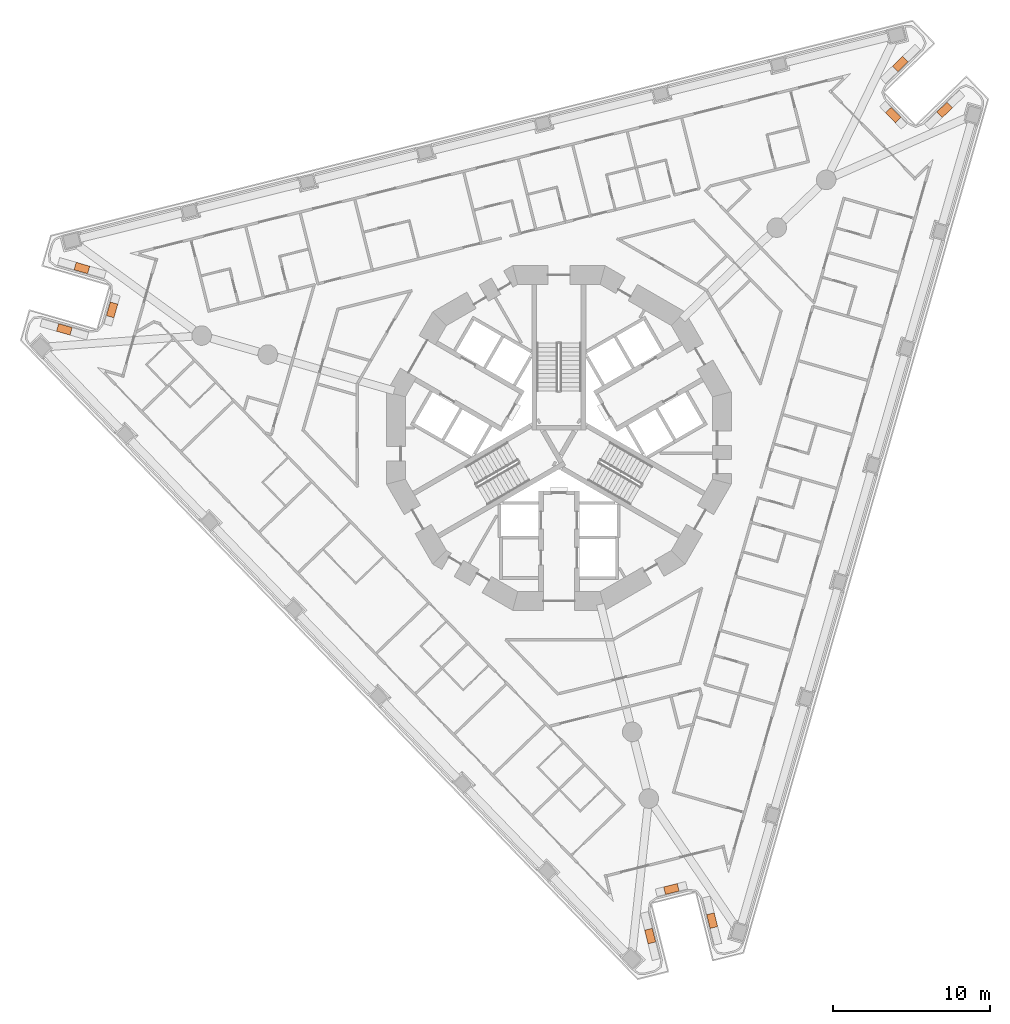
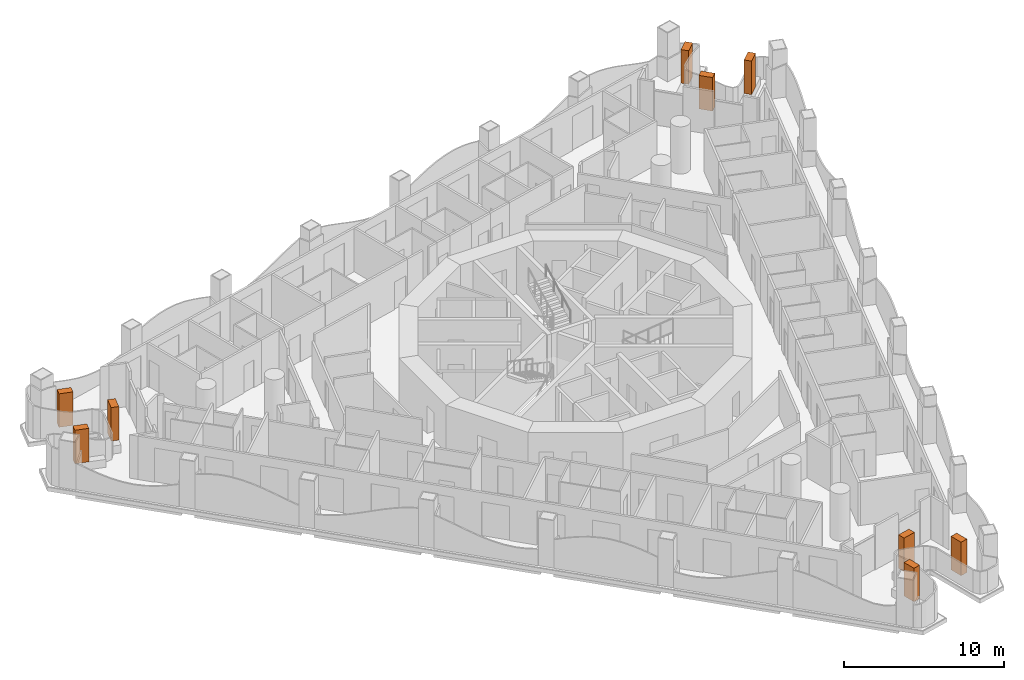
# One storey, part 19 of 19: 9 geographic elements.
"""IFC4 building model written with IfcOpenShell, lengths in metres."""

from ifc_helpers import new_model, si_unit, direction, frame, origin, origin_2d, place, context, subcontext, project, spatial, rectangle, extrude, element, save


model = new_model("IFC4")

# Units and contexts
model_context = context("Model", 3, precision=1e-05, world=origin(), true_north=direction((0.0, 1.0)))
body_context = subcontext(model_context, "Body", "Model", "MODEL_VIEW")
ifc_project = project(units=[si_unit("LENGTHUNIT", "METRE"), si_unit("AREAUNIT", "SQUARE_METRE"), si_unit("VOLUMEUNIT", "CUBIC_METRE"), si_unit("PLANEANGLEUNIT", "RADIAN"), si_unit("MASSUNIT", "GRAM", prefix="KILO")], contexts=[model_context])

# Site, building, storey
site_placement = place(None, origin())
site = spatial("IfcSite", under=ifc_project, at=site_placement, CompositionType="ELEMENT")
building_placement = place(site_placement, origin())
building = spatial("IfcBuilding", under=site, at=building_placement, Name="Trine Commons Tower", CompositionType="ELEMENT")
storey_placement = place(building_placement, frame((0.0, 0.0, 98.10009765625)))
storey = spatial("IfcBuildingStorey", under=building, at=storey_placement, Name="L24", CompositionType="ELEMENT", Elevation=98.10009765625)

# Geographic elements
for number, where, z_axis, x_axis, name in (
    (1, (48.400634765625, 69.438720703125, 0.60009765625), (0.0, 0.0, 1.0), (0.961260733777, -0.275640711252, 0.0), "Tree 1.1"),
    (2, (51.45263671875, 70.685791015625, 0.60009765625), (0.0, 0.0, 1.0), (0.275645744397, 0.961259290512, 0.0), "Tree 2.1"),
    (3, (49.525146484375, 73.360595703125, 0.60009765625), (0.0, 0.0, 1.0), (-0.961262658088, 0.275634000379, 0.0), "Tree 3.1"),
    (4, (101.808837890625, 86.396484375, 0.60009765625), (0.0, 0.0, 1.0), (-0.719332525854, -0.69466590333, 0.0), "Tree 4.1"),
    (5, (101.36279296875, 83.1298828125, 0.60009765625), (0.0, 0.0, 1.0), (0.694658370459, -0.719339800339, 0.0), "Tree 5.1"),
    (6, (104.64306640625, 83.461669921875, 0.60009765625), (0.0, 0.0, 1.0), (0.719362835687, 0.694634515866, 0.0), "Tree 6.1"),
    (7, (89.79052734375, 31.664794921875, 0.60009765625), (0.0, 0.0, 1.0), (-0.241908347692, 0.970299104048, 0.0), "Tree 7.1"),
    (8, (87.1845703125, 33.684326171875, 0.60009765625), (0.0, 0.0, 1.0), (-0.970297415186, -0.241915121652, 0.0), "Tree 8.1"),
    (9, (85.831787109375, 30.677734375, 0.60009765625), (0.0, 0.0, 1.0), (0.241908347692, -0.970299104048, 0.0), "Tree 9.1"),
):
    element("IfcGeographicElement", number, at=place(storey_placement, frame(where, z_axis=z_axis, x_axis=x_axis)), inside=storey, Name=name, ObjectType="TREE Tabebuia rosea", PredefinedType="USERDEFINED", context=body_context, shape_type="SweptSolid", body=[
        extrude(rectangle(XDim=0.89990234375, YDim=0.5, at=origin_2d()), origin(), (0.0, 0.0, 1.0), 2.550048828125),
    ])

save(model, "model.ifc")
